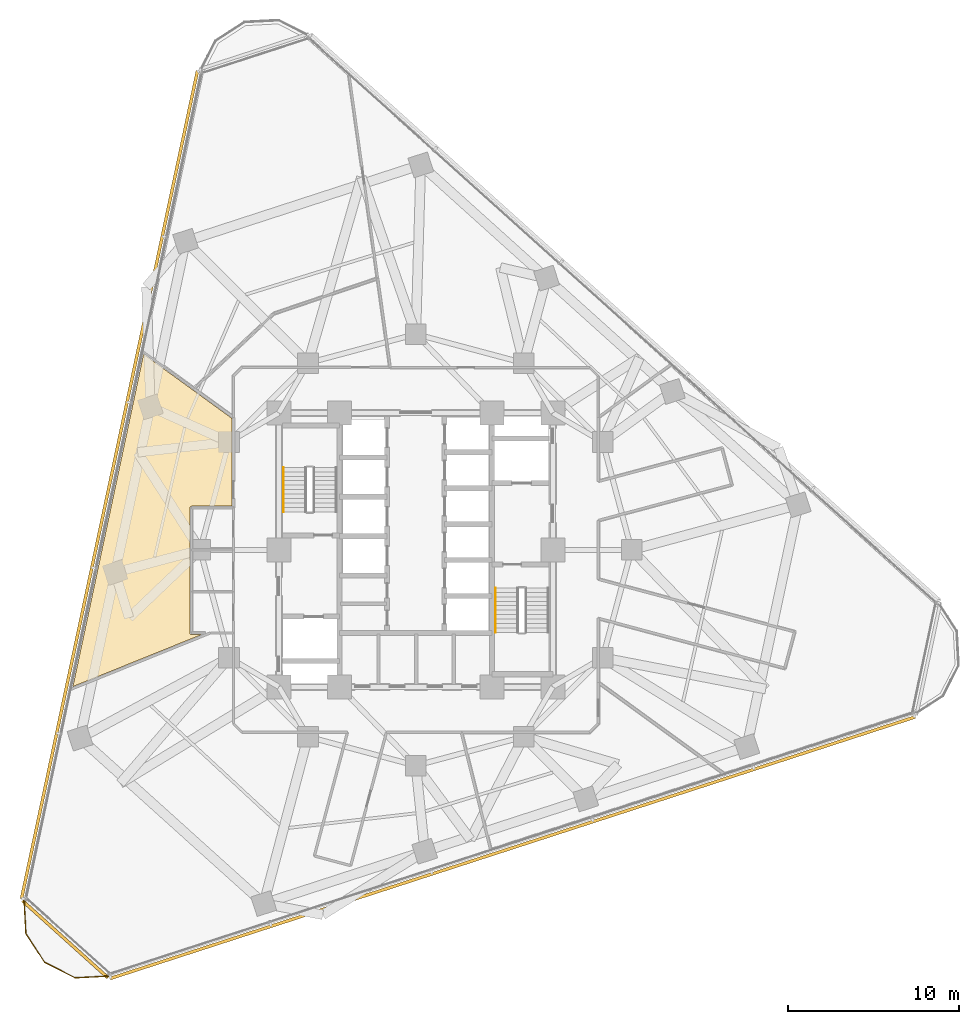
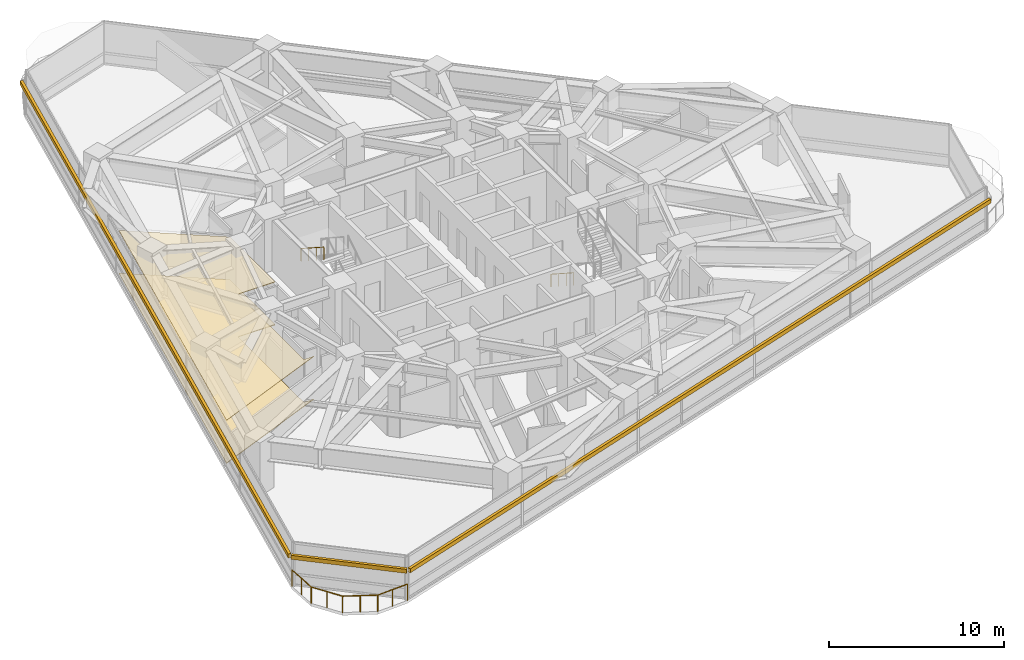
# One storey, part 12 of 14: 3 railings, 3 shading devices, 2 coverings.
"""IFC4 building model written with IfcOpenShell, lengths in metres."""

from ifc_helpers import new_model, si_unit, direction, frame, origin, origin_2d, place, context, subcontext, project, spatial, polyline, rectangle, circle, outline, extrude, material, layer, layer_set, type_object, element, save


model = new_model("IFC4")

# Units and contexts
model_context = context("Model", 3, precision=1e-05, world=origin(), true_north=direction((0.0, 1.0)))
body_context = subcontext(model_context, "Body", "Model", "MODEL_VIEW")
ifc_project = project(units=[si_unit("LENGTHUNIT", "METRE"), si_unit("AREAUNIT", "SQUARE_METRE"), si_unit("VOLUMEUNIT", "CUBIC_METRE"), si_unit("PLANEANGLEUNIT", "RADIAN"), si_unit("MASSUNIT", "GRAM", prefix="KILO")], contexts=[model_context])

# Site, building, storey
site_placement = place(None, origin())
site = spatial("IfcSite", under=ifc_project, at=site_placement, CompositionType="ELEMENT")
building_placement = place(site_placement, origin())
building = spatial("IfcBuilding", under=site, at=building_placement, Name="Terralouvre Media Tower", CompositionType="ELEMENT")
storey_placement = place(building_placement, frame((0.0, 0.0, 116.199951171875)))
storey = spatial("IfcBuildingStorey", under=building, at=storey_placement, Name="L29", CompositionType="ELEMENT", Elevation=116.199951171875)

# Coverings
ifc_material_1 = material(Name="Resilient elastomer acoustic broadcast studio flooring")
ifc_layer_1 = layer(ifc_material_1, 0.050048828125, Name="Broadcast Studio Acoustic Floating Floor FL-AC1")
ifc_layer_set_1 = layer_set([ifc_layer_1], Name="Resilient elastomer acoustic broadcast studio flooring")
covering_type_1 = type_object("IfcCoveringType", Name="Broadcast Studio Acoustic Floating Floor FL-AC1", PredefinedType="FLOORING", material=ifc_layer_set_1)
covering_1_placement = place(storey_placement, frame((0.0, 0.0, 0.0), z_axis=(0.0, 0.0, 1.0), x_axis=(0.951056516295, 0.309016994375, 0.0)))
element("IfcCovering", 1, at=covering_1_placement, inside=storey, type_object=covering_type_1, Name="L29 Concierge Security Control Room 7 Acoustic Floating Floor", PredefinedType="FLOORING", context=body_context, shape_type="SweptSolid", body=[
    extrude(outline(polyline([(-13.988525390625, -0.65966796875), (-13.99755859375, -0.656005859375), (-14.00634765625, -0.65185546875), (-14.0146484375, -0.646484375), (-14.0224609375, -0.640625), (-14.029541015625, -0.6337890625), (-14.0361328125, -0.62646484375), (-14.041748046875, -0.618408203125), (-14.046630859375, -0.60986328125), (-14.05078125, -0.600830078125), (-14.0537109375, -0.591796875), (-14.055908203125, -0.58203125), (-14.057373046875, -0.572265625), (-14.0576171875, -0.5625), (-14.056884765625, -0.552734375), (-14.05517578125, -0.54296875), (-14.052734375, -0.53369140625), (-11.796875, 6.4091796875), (-11.79345703125, 6.418212890625), (-11.7890625, 6.427001953125), (-11.78369140625, 6.435302734375), (-11.77783203125, 6.443115234375), (-11.77099609375, 6.4501953125), (-11.763671875, 6.456787109375), (-11.755615234375, 6.46240234375), (-11.7470703125, 6.46728515625), (-11.738037109375, 6.471435546875), (-11.72900390625, 6.474365234375), (-11.71923828125, 6.4765625), (-11.709716796875, 6.47802734375), (-11.69970703125, 6.478271484375), (-11.68994140625, 6.4775390625), (-11.680419921875, 6.475830078125), (-11.6708984375, 6.473388671875), (-9.435791015625, 5.7470703125), (-7.848388671875, 10.6328125), (-9.494140625, 12.897216796875), (-11.592529296875, 15.785400390625), (-21.51708984375, -1.404296875), (-13.435546875, -0.83935546875), (-13.988525390625, -0.65966796875)])), origin(), (0.0, 0.0, 1.0), 0.050048828125),
])
ifc_material_2 = material(Name="Perforated aluminium acoustic ceiling baffle", Category="aluminium")
ifc_layer_2 = layer(ifc_material_2, 0.0400390625, Name="Perforated Acoustic Metal Tile Ceiling CL-AC1")
ifc_layer_set_2 = layer_set([ifc_layer_2], Name="Perforated aluminium acoustic ceiling baffle")
covering_type_2 = type_object("IfcCoveringType", Name="Perforated Acoustic Metal Tile Ceiling CL-AC1", PredefinedType="CEILING", material=ifc_layer_set_2)
covering_2_placement = place(storey_placement, frame((0.0, 0.0, 2.97998046875), z_axis=(0.0, 0.0, 1.0), x_axis=(0.951056516295, 0.309016994375, 0.0)))
element("IfcCovering", 2, at=covering_2_placement, inside=storey, type_object=covering_type_2, Name="L29 Concierge Security Control Room 7 Acoustic Ceiling", PredefinedType="CEILING", context=body_context, shape_type="SweptSolid", body=[
    extrude(outline(polyline([(-13.988525390625, -0.65966796875), (-13.99755859375, -0.656005859375), (-14.00634765625, -0.65185546875), (-14.0146484375, -0.646484375), (-14.0224609375, -0.640625), (-14.029541015625, -0.6337890625), (-14.0361328125, -0.62646484375), (-14.041748046875, -0.618408203125), (-14.046630859375, -0.60986328125), (-14.05078125, -0.600830078125), (-14.0537109375, -0.591796875), (-14.055908203125, -0.58203125), (-14.057373046875, -0.572265625), (-14.0576171875, -0.5625), (-14.056884765625, -0.552734375), (-14.05517578125, -0.54296875), (-14.052734375, -0.53369140625), (-11.796875, 6.4091796875), (-11.79345703125, 6.418212890625), (-11.7890625, 6.427001953125), (-11.78369140625, 6.435302734375), (-11.77783203125, 6.443115234375), (-11.77099609375, 6.4501953125), (-11.763671875, 6.456787109375), (-11.755615234375, 6.46240234375), (-11.7470703125, 6.46728515625), (-11.738037109375, 6.471435546875), (-11.72900390625, 6.474365234375), (-11.71923828125, 6.4765625), (-11.709716796875, 6.47802734375), (-11.69970703125, 6.478271484375), (-11.68994140625, 6.4775390625), (-11.680419921875, 6.475830078125), (-11.6708984375, 6.473388671875), (-9.435791015625, 5.7470703125), (-7.848388671875, 10.6328125), (-9.494140625, 12.897216796875), (-11.592529296875, 15.785400390625), (-21.51708984375, -1.404296875), (-13.435546875, -0.83935546875), (-13.988525390625, -0.65966796875)])), origin(), (0.0, 0.0, 1.0), 0.0400390625),
])

# Railings
ifc_material_3 = material(Name="Stainless steel 316 handrail and balustrade", Category="steel")
ifc_layer_3 = layer(ifc_material_3, 0.06005859375, Name="Roof Edge Safety Guardrail GR-ROOF1")
ifc_layer_set_3 = layer_set([ifc_layer_3], Name="Stainless steel 316 handrail and balustrade")
railing_type_1 = type_object("IfcRailingType", Name="Roof Edge Safety Guardrail GR-ROOF1", PredefinedType="GUARDRAIL", material=ifc_layer_set_3)
railing_1_placement = place(storey_placement, frame((-22.8837890625, -20.395751953125, 0.0)))
element("IfcRailing", 3, at=railing_1_placement, inside=storey, type_object=railing_type_1, Name="L29 Wind-Corner Perimeter Safety Guardrail C0", PredefinedType="GUARDRAIL", context=body_context, shape_type="SweptSolid", body=[
    extrude(circle(Radius=0.02099609375, at=origin_2d()), frame((0.0, 0.0, 1.12890625), z_axis=(0.05204188706, -0.998644902851, 0.0), x_axis=(0.998644902851, 0.05204188706, 0.0)), (0.0, 0.0, 1.0), 2.0078125),
    extrude(circle(Radius=0.02099609375, at=origin_2d()), frame((0.1044921875, -2.005126953125, 1.12890625), z_axis=(0.544556562485, -0.838724120468, 0.0), x_axis=(0.838724120468, 0.544556562485, 0.0)), (0.0, 0.0, 1.0), 2.007568359375),
    extrude(circle(Radius=0.02099609375, at=origin_2d()), frame((1.19775390625, -3.68896484375, 1.12890625), z_axis=(0.891070121909, -0.453865660566, 0.0), x_axis=(0.453865660566, 0.891070121909, 0.0)), (0.0, 0.0, 1.0), 2.007568359375),
    extrude(circle(Radius=0.02099609375, at=origin_2d()), frame((2.986572265625, -4.60009765625, 1.12890625), z_axis=(0.998619508244, 0.052526924091, 0.0), x_axis=(-0.052526924091, 0.998619508244, 0.0)), (0.0, 0.0, 1.0), 2.0078125),
    extrude(circle(Radius=0.01904296875, at=origin_2d()), origin(), (0.0, 0.0, 1.0), 1.10791015625),
    extrude(circle(Radius=0.01904296875, at=origin_2d()), frame((0.05224609375, -1.00244140625, 0.0)), (0.0, 0.0, 1.0), 1.10791015625),
    extrude(circle(Radius=0.01904296875, at=origin_2d()), frame((0.1044921875, -2.005126953125, 0.0)), (0.0, 0.0, 1.0), 1.10791015625),
    extrude(circle(Radius=0.01904296875, at=origin_2d()), frame((0.651123046875, -2.84716796875, 0.0)), (0.0, 0.0, 1.0), 1.10791015625),
    extrude(circle(Radius=0.01904296875, at=origin_2d()), frame((1.19775390625, -3.68896484375, 0.0)), (0.0, 0.0, 1.0), 1.10791015625),
    extrude(circle(Radius=0.01904296875, at=origin_2d()), frame((2.09228515625, -4.14453125, 0.0)), (0.0, 0.0, 1.0), 1.10791015625),
    extrude(circle(Radius=0.01904296875, at=origin_2d()), frame((2.986572265625, -4.60009765625, 0.0)), (0.0, 0.0, 1.0), 1.10791015625),
    extrude(circle(Radius=0.01904296875, at=origin_2d()), frame((3.9892578125, -4.54736328125, 0.0)), (0.0, 0.0, 1.0), 1.10791015625),
    extrude(circle(Radius=0.01904296875, at=origin_2d()), frame((4.99169921875, -4.49462890625, 0.0)), (0.0, 0.0, 1.0), 1.10791015625),
])
ifc_material_4 = material(Name="Stainless steel 316 handrail and balustrade", Category="steel")
ifc_layer_4 = layer(ifc_material_4, 0.050048828125, Name="Stair Flight Wall Handrail HR-INT1")
ifc_layer_set_4 = layer_set([ifc_layer_4], Name="Stainless steel 316 handrail and balustrade")
railing_type_2 = type_object("IfcRailingType", Name="Stair Flight Wall Handrail HR-INT1", PredefinedType="HANDRAIL", material=ifc_layer_set_4)
railing_2_placement = place(storey_placement, frame((-7.72998046875, 4.820068359375, 2.018310546875)))
element("IfcRailing", 4, at=railing_2_placement, inside=storey, type_object=railing_type_2, Name="L29 ST-01 stair handrail 2", PredefinedType="HANDRAIL", context=body_context, shape_type="SweptSolid", body=[
    extrude(circle(Radius=0.02392578125, at=origin_2d()), frame((0.0, 0.0, 0.8759765625), z_axis=(0.0, -0.839684365666, 0.543074733399), x_axis=(1.0, 0.0, 0.0)), (0.0, 0.0, 1.0), 3.096435546875),
    extrude(circle(Radius=0.02099609375, at=origin_2d()), origin(), (0.0, 0.0, 1.0), 0.851806640625),
    extrude(circle(Radius=0.02099609375, at=origin_2d()), frame((0.0, -0.86669921875, 0.560546875)), (0.0, 0.0, 1.0), 0.851806640625),
    extrude(circle(Radius=0.02099609375, at=origin_2d()), frame((0.0, -1.7333984375, 1.12109375)), (0.0, 0.0, 1.0), 0.851806640625),
    extrude(circle(Radius=0.02099609375, at=origin_2d()), frame((0.0, -2.60009765625, 1.681640625)), (0.0, 0.0, 1.0), 0.851806640625),
])
railing_3_placement = place(storey_placement, frame((4.64990234375, -2.219970703125, 0.168212890625)))
element("IfcRailing", 5, at=railing_3_placement, inside=storey, type_object=railing_type_2, Name="L29 ST-02 stair handrail 1", PredefinedType="HANDRAIL", context=body_context, shape_type="SweptSolid", body=[
    extrude(circle(Radius=0.02392578125, at=origin_2d()), frame((0.0, 0.0, 0.8759765625), z_axis=(0.0, -0.839648411786, 0.543130320075), x_axis=(1.0, 0.0, 0.0)), (0.0, 0.0, 1.0), 3.0966796875),
    extrude(circle(Radius=0.02099609375, at=origin_2d()), origin(), (0.0, 0.0, 1.0), 0.851806640625),
    extrude(circle(Radius=0.02099609375, at=origin_2d()), frame((0.0, -0.86669921875, 0.560546875)), (0.0, 0.0, 1.0), 0.851806640625),
    extrude(circle(Radius=0.02099609375, at=origin_2d()), frame((0.0, -1.7333984375, 1.121337890625)), (0.0, 0.0, 1.0), 0.851806640625),
    extrude(circle(Radius=0.02099609375, at=origin_2d()), frame((0.0, -2.60009765625, 1.681884765625)), (0.0, 0.0, 1.0), 0.851806640625),
])

# Shading devices
ifc_material_5 = material(Name="Extruded terracotta baguette sunshade louvres", Category="masonry")
shading_device_type = type_object("IfcShadingDeviceType", Name="Terracotta Baguette Sunshade Louvre Screen TB-LV1", PredefinedType="USERDEFINED", material=ifc_material_5)
for number, where, z_axis, x_axis, name in (
    (6, (5.652587890625, -17.396728515625, 2.02392578125), (0.0, 0.0, 1.0), (0.951056509451, 0.309017015439, 0.0), "CW-L29-F0 Terracotta Baguette Sunshade Louvre"),
    (7, (-17.892333984375, 3.80322265625, 2.02392578125), (0.0, 0.0, 1.0), (-0.207911643887, -0.978147610709, 0.0), "CW-L29-F2 Terracotta Baguette Sunshade Louvre"),
):
    element("IfcShadingDevice", number, at=place(storey_placement, frame(where, z_axis=z_axis, x_axis=x_axis)), inside=storey, type_object=shading_device_type, Name=name, ObjectType="BAGUETTE", PredefinedType="USERDEFINED", context=body_context, shape_type="SweptSolid", body=[
        extrude(rectangle(XDim=49.43994140625, YDim=0.179931640625, at=origin_2d()), origin(), (0.0, 0.0, 1.0), 0.280029296875),
    ])
shading_device_placement = place(storey_placement, frame((-20.478271484375, -22.743408203125, 2.02392578125), z_axis=(0.0, 0.0, 1.0), x_axis=(0.743144668471, -0.669130780732, 0.0)))
element("IfcShadingDevice", 8, at=shading_device_placement, inside=storey, type_object=shading_device_type, Name="CW-L29-C0 Terracotta Baguette Sunshade Louvre", ObjectType="BAGUETTE", PredefinedType="USERDEFINED", context=body_context, shape_type="SweptSolid", body=[
    extrude(rectangle(XDim=6.720458984375, YDim=0.179931640625, at=origin_2d()), origin(), (0.0, 0.0, 1.0), 0.280029296875),
])

save(model, "model.ifc")
